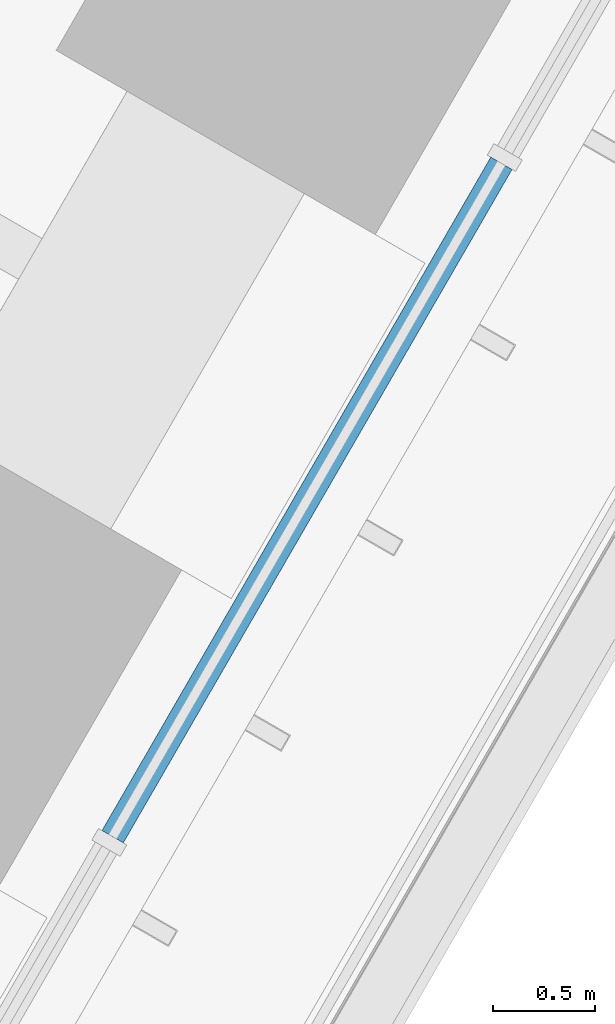
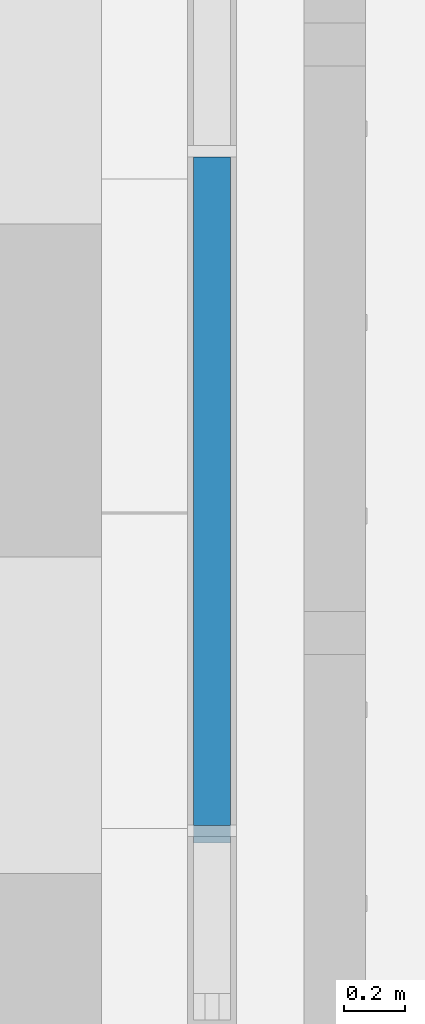
# One storey, part 90 of 228: 1 member, 1 element without a shape of its own.
"""IFC4 building model written with IfcOpenShell, lengths in metres."""

from ifc_helpers import new_model, si_unit, direction, frame, origin, origin_2d, place, context, subcontext, project, spatial, rectangle, extrude, material, material_profile, profile_set, type_object, element, aggregate, save


model = new_model("IFC4")

# Units and contexts
model_context = context("Model", 3, precision=1e-05, world=origin(), true_north=direction((0.0, 1.0)))
body_context = subcontext(model_context, "Body", "Model", "MODEL_VIEW")
ifc_project = project(units=[si_unit("LENGTHUNIT", "METRE"), si_unit("AREAUNIT", "SQUARE_METRE"), si_unit("VOLUMEUNIT", "CUBIC_METRE"), si_unit("PLANEANGLEUNIT", "RADIAN"), si_unit("MASSUNIT", "GRAM", prefix="KILO")], contexts=[model_context])

# Site, building, storey
site_placement = place(None, origin())
site = spatial("IfcSite", under=ifc_project, at=site_placement, CompositionType="ELEMENT")
building_placement = place(site_placement, origin())
building = spatial("IfcBuilding", under=site, at=building_placement, Name="Sandreach Pilgrim Tower", CompositionType="ELEMENT")
storey_placement = place(building_placement, frame((0.0, 0.0, 178.199951171875)))
storey = spatial("IfcBuildingStorey", under=building, at=storey_placement, Name="L44", CompositionType="ELEMENT", Elevation=178.199951171875)

# Curtain wall, member
ifc_material_1 = material(Name="Aluminium framed curtain wall", Category="aluminium")
curtain_wall_type = type_object("IfcCurtainWallType", Name="Upper hotel tower curtain wall", PredefinedType="NOTDEFINED", material=ifc_material_1)
curtain_wall_placement = place(storey_placement, origin())
curtain_wall = element("IfcCurtainWall", 1, at=curtain_wall_placement, inside=storey, type_object=curtain_wall_type, Name="CW-3 L44 SE", PredefinedType="NOTDEFINED")
ifc_material_2 = material(Name="Aluminium extrusion", Category="aluminium")
ifc_material_profile = material_profile(ifc_material_2, rectangle(XDim=0.1201171875, YDim=0.070068359375, at=origin_2d()), Name="CW-3T 120X70")
ifc_profile_set = profile_set([ifc_material_profile], Name="Aluminium extrusion")
member_type = type_object("IfcMemberType", Name="CW-3 transom", PredefinedType="USERDEFINED", material=ifc_profile_set)
member_placement = place(storey_placement, frame((15.41064453125, -15.628173828125, 4.804931640625), z_axis=(-0.499974606132, -0.866040064445, 0.0), x_axis=(0.866040064445, -0.499974606132, 0.0)))
member = element("IfcMember", 2, at=member_placement, type_object=member_type, Name="CW-3 head transom 7", ObjectType="TRANSOM", PredefinedType="USERDEFINED", context=body_context, shape_type="SweptSolid", body=[
    extrude(rectangle(XDim=0.1201171875, YDim=0.070068359375, at=origin_2d()), origin(), (0.0, 0.0, 1.0), 3.799560546875),
])
aggregate(curtain_wall, [member])

save(model, "model.ifc")
